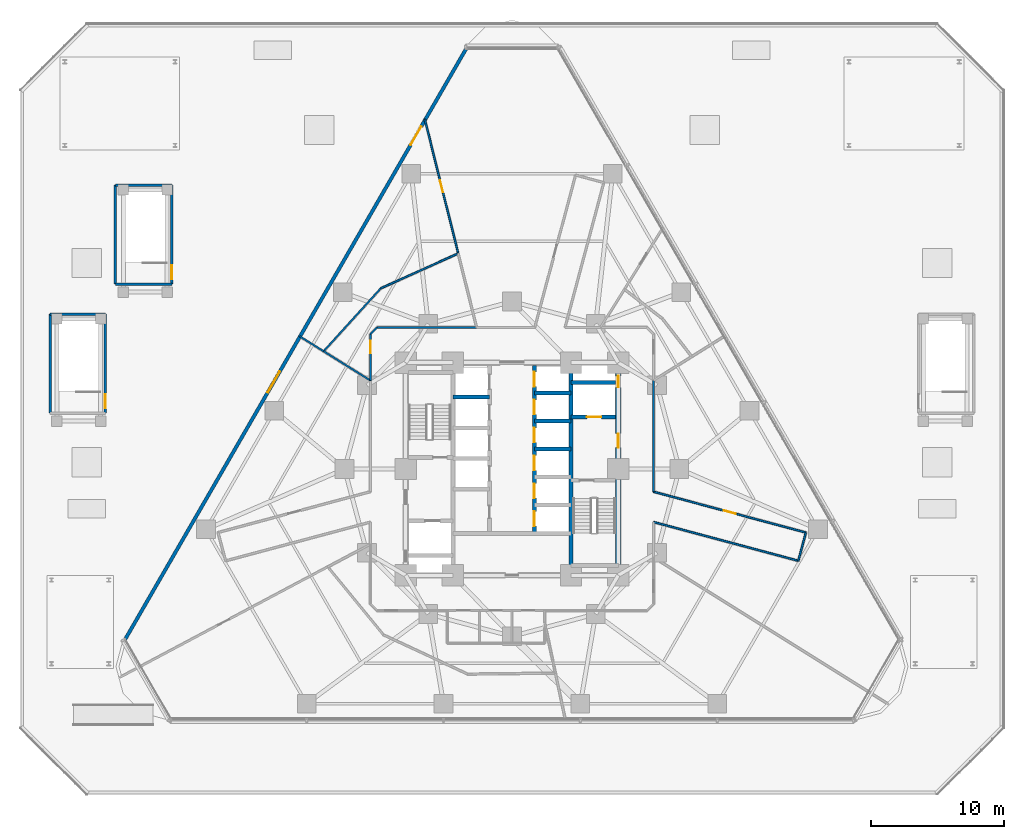
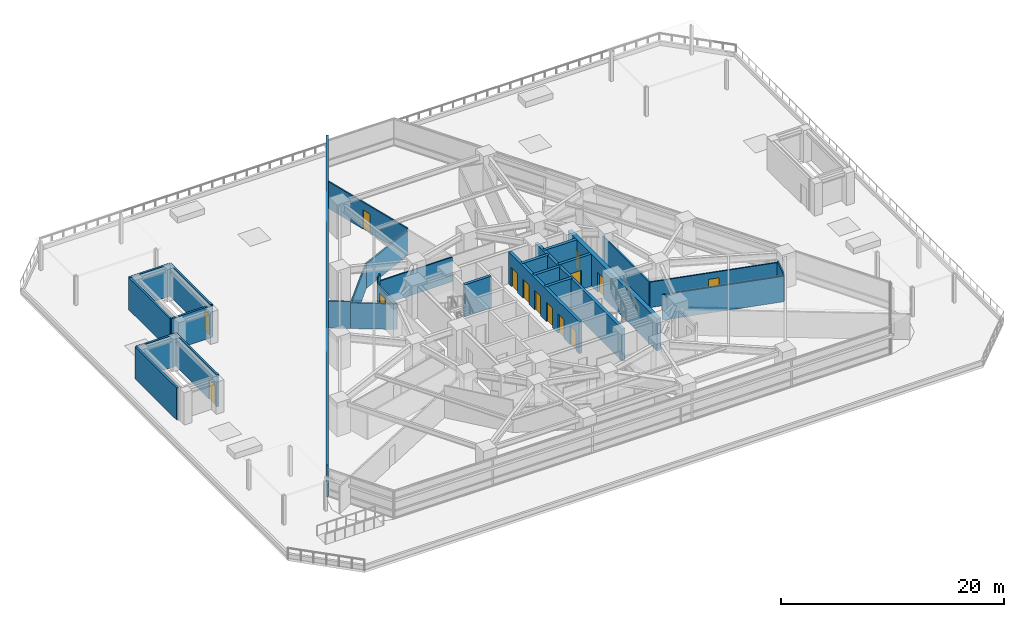
# One storey, part 17 of 23: 29 walls, 15 doors, 1 window, 16 openings.
"""IFC4 building model written with IfcOpenShell, lengths in metres."""

from ifc_helpers import new_model, si_unit, direction, frame, frame_2d, origin, place, context, subcontext, project, spatial, rectangle, extrude, material, layer, layer_set, type_object, element, fill, save


model = new_model("IFC4")

# Units and contexts
model_context = context("Model", 3, precision=1e-05, world=origin(), true_north=direction((0.0, 1.0)))
body_context = subcontext(model_context, "Body", "Model", "MODEL_VIEW")
ifc_project = project(units=[si_unit("LENGTHUNIT", "METRE"), si_unit("AREAUNIT", "SQUARE_METRE"), si_unit("VOLUMEUNIT", "CUBIC_METRE"), si_unit("PLANEANGLEUNIT", "RADIAN"), si_unit("MASSUNIT", "GRAM", prefix="KILO")], contexts=[model_context])

# Site, building, storey
site_placement = place(None, origin())
site = spatial("IfcSite", under=ifc_project, at=site_placement, CompositionType="ELEMENT")
building_placement = place(site_placement, origin())
building = spatial("IfcBuilding", under=site, at=building_placement, Name="Terralouvre Media Tower", CompositionType="ELEMENT")
storey_placement = place(building_placement, frame((0.0, 0.0, 26.0)))
storey = spatial("IfcBuildingStorey", under=building, at=storey_placement, Name="L05", CompositionType="ELEMENT", Elevation=26.0)

# Wall
ifc_material_1 = material(Name="Concrete C50/60", Category="concrete")
ifc_layer_1 = layer(ifc_material_1, 0.300048828125, Name="Core Internal Shaft Wall CW-300")
ifc_layer_set_1 = layer_set([ifc_layer_1], Name="Concrete C50/60")
wall_type_1 = type_object("IfcWallType", Name="Core Internal Shaft Wall CW-300", PredefinedType="SHEAR", material=ifc_layer_set_1)
wall_1_placement = place(storey_placement, frame((4.449951171875, -7.7900390625, 0.0), z_axis=(0.0, 0.0, 1.0), x_axis=(0.0, 1.0, 0.0)))
element("IfcWall", 1, at=wall_1_placement, inside=storey, type_object=wall_type_1, Name="L05 Core Shaft Wall SPE", PredefinedType="SHEAR", context=body_context, shape_type="SweptSolid", body=[
    extrude(rectangle(XDim=15.580078125, YDim=0.300048828125, at=frame_2d((7.7900390625, 0.0))), origin(), (0.0, 0.0, 1.0), 3.5),
])

# Wall, opening, door
wall_2_placement = place(storey_placement, frame((4.449951171875, 3.89990234375, 0.0), z_axis=(0.0, 0.0, 1.0), x_axis=(1.0, 0.0, 0.0)))
wall_2 = element("IfcWall", 2, at=wall_2_placement, inside=storey, type_object=wall_type_1, Name="L05 Core Shaft Wall FF2S", PredefinedType="SHEAR", context=body_context, shape_type="SweptSolid", body=[
    extrude(rectangle(XDim=3.340087890625, YDim=0.300048828125, at=frame_2d((1.669921875, 0.0))), origin(), (0.0, 0.0, 1.0), 3.5),
])
opening_1_placement = place(wall_2_placement, frame((1.179931640625, 0.0, 0.0)))
opening_1 = element("IfcOpeningElement", 3, at=opening_1_placement, cuts=wall_2, Name="Opening LD-FF", PredefinedType="OPENING", context=body_context, shape_type="SweptSolid", body=[
    extrude(rectangle(XDim=1.10009765625, YDim=2.10009765625, at=frame_2d((0.550048828125, 1.050048828125))), frame((0.0, 0.159912109375, 0.0), z_axis=(0.0, -1.0, 0.0), x_axis=(1.0, 0.0, 0.0)), (0.0, 0.0, 1.0), 0.320068359375),
])
ifc_material_2 = material(Name="Stainless steel 316 handrail and balustrade", Category="steel")
door_type_1 = type_object("IfcDoorType", Name="Firefighting Lift Sliding Landing Door LD-FF", OperationType="SLIDING_TO_LEFT", PredefinedType="DOOR", material=ifc_material_2)
door_1_placement = place(opening_1_placement, origin())
door_1 = element("IfcDoor", 4, at=door_1_placement, inside=storey, type_object=door_type_1, Name="L05 Firefighting Lift FFL-02 Landing Door", OperationType="SLIDING_TO_LEFT", OverallHeight=2.10009765625, OverallWidth=1.10009765625, PredefinedType="DOOR", context=body_context, shape_type="SweptSolid", body=[
    extrude(rectangle(XDim=1.10009765625, YDim=2.10009765625, at=frame_2d((0.550048828125, 1.050048828125))), frame((0.0, 0.02490234375, 0.0), z_axis=(0.0, -1.0, 0.0), x_axis=(1.0, 0.0, 0.0)), (0.0, 0.0, 1.0), 0.050048828125),
])
fill(opening_1, door_1)

# Wall
wall_3_placement = place(storey_placement, frame((4.449951171875, 6.5, 0.0), z_axis=(0.0, 0.0, 1.0), x_axis=(1.0, 0.0, 0.0)))
element("IfcWall", 5, at=wall_3_placement, inside=storey, type_object=wall_type_1, Name="L05 Core Shaft Wall FF2N", PredefinedType="SHEAR", context=body_context, shape_type="SweptSolid", body=[
    extrude(rectangle(XDim=3.340087890625, YDim=0.300048828125, at=frame_2d((1.669921875, 0.0))), origin(), (0.0, 0.0, 1.0), 3.5),
])

# Wall, openings, doors
wall_4_placement = place(storey_placement, frame((1.679931640625, -4.85009765625, 0.0), z_axis=(0.0, 0.0, 1.0), x_axis=(0.0, 1.0, 0.0)))
wall_4 = element("IfcWall", 6, at=wall_4_placement, inside=storey, type_object=wall_type_1, Name="L05 Core Shaft Wall LBE", PredefinedType="SHEAR", context=body_context, shape_type="SweptSolid", body=[
    extrude(rectangle(XDim=12.64013671875, YDim=0.300048828125, at=frame_2d((6.320068359375, 0.0))), origin(), (0.0, 0.0, 1.0), 3.5),
])
opening_2_placement = place(wall_4_placement, frame((0.550048828125, 0.0, 0.0)))
opening_2 = element("IfcOpeningElement", 7, at=opening_2_placement, cuts=wall_4, Name="Opening LD-PL", PredefinedType="OPENING", context=body_context, shape_type="SweptSolid", body=[
    extrude(rectangle(XDim=1.10009765625, YDim=2.10009765625, at=frame_2d((0.550048828125, 1.050048828125))), frame((0.0, 0.159912109375, 0.0), z_axis=(0.0, -1.0, 0.0), x_axis=(1.0, 0.0, 0.0)), (0.0, 0.0, 1.0), 0.320068359375),
])
opening_3_placement = place(wall_4_placement, frame((2.64990234375, 0.0, 0.0)))
opening_3 = element("IfcOpeningElement", 8, at=opening_3_placement, cuts=wall_4, Name="Opening LD-PL", PredefinedType="OPENING", context=body_context, shape_type="SweptSolid", body=[
    extrude(rectangle(XDim=1.10009765625, YDim=2.10009765625, at=frame_2d((0.550048828125, 1.050048828125))), frame((0.0, 0.159912109375, 0.0), z_axis=(0.0, -1.0, 0.0), x_axis=(1.0, 0.0, 0.0)), (0.0, 0.0, 1.0), 0.320068359375),
])
opening_4_placement = place(wall_4_placement, frame((4.75, 0.0, 0.0)))
opening_4 = element("IfcOpeningElement", 9, at=opening_4_placement, cuts=wall_4, Name="Opening LD-PL", PredefinedType="OPENING", context=body_context, shape_type="SweptSolid", body=[
    extrude(rectangle(XDim=1.10009765625, YDim=2.10009765625, at=frame_2d((0.550048828125, 1.050048828125))), frame((0.0, 0.159912109375, 0.0), z_axis=(0.0, -1.0, 0.0), x_axis=(1.0, 0.0, 0.0)), (0.0, 0.0, 1.0), 0.320068359375),
])
opening_5_placement = place(wall_4_placement, frame((6.85009765625, 0.0, 0.0)))
opening_5 = element("IfcOpeningElement", 10, at=opening_5_placement, cuts=wall_4, Name="Opening LD-PL", PredefinedType="OPENING", context=body_context, shape_type="SweptSolid", body=[
    extrude(rectangle(XDim=1.10009765625, YDim=2.10009765625, at=frame_2d((0.550048828125, 1.050048828125))), frame((0.0, 0.159912109375, 0.0), z_axis=(0.0, -1.0, 0.0), x_axis=(1.0, 0.0, 0.0)), (0.0, 0.0, 1.0), 0.320068359375),
])
opening_6_placement = place(wall_4_placement, frame((8.949951171875, 0.0, 0.0)))
opening_6 = element("IfcOpeningElement", 11, at=opening_6_placement, cuts=wall_4, Name="Opening LD-PL", PredefinedType="OPENING", context=body_context, shape_type="SweptSolid", body=[
    extrude(rectangle(XDim=1.10009765625, YDim=2.10009765625, at=frame_2d((0.550048828125, 1.050048828125))), frame((0.0, 0.159912109375, 0.0), z_axis=(0.0, -1.0, 0.0), x_axis=(1.0, 0.0, 0.0)), (0.0, 0.0, 1.0), 0.320068359375),
])
opening_7_placement = place(wall_4_placement, frame((11.050048828125, 0.0, 0.0)))
opening_7 = element("IfcOpeningElement", 12, at=opening_7_placement, cuts=wall_4, Name="Opening LD-PL", PredefinedType="OPENING", context=body_context, shape_type="SweptSolid", body=[
    extrude(rectangle(XDim=1.10009765625, YDim=2.10009765625, at=frame_2d((0.550048828125, 1.050048828125))), frame((0.0, 0.159912109375, 0.0), z_axis=(0.0, -1.0, 0.0), x_axis=(1.0, 0.0, 0.0)), (0.0, 0.0, 1.0), 0.320068359375),
])
ifc_material_3 = material(Name="Stainless steel 316 handrail and balustrade", Category="steel")
door_type_2 = type_object("IfcDoorType", Name="Passenger Lift Sliding Landing Door LD-PL", OperationType="SLIDING_TO_LEFT", PredefinedType="DOOR", material=ifc_material_3)
door_2_placement = place(opening_2_placement, origin())
door_2 = element("IfcDoor", 13, at=door_2_placement, inside=storey, type_object=door_type_2, Name="L05 High-Rise Lift PL-H1 Landing Door", OperationType="SLIDING_TO_LEFT", OverallHeight=2.10009765625, OverallWidth=1.10009765625, PredefinedType="DOOR", context=body_context, shape_type="SweptSolid", body=[
    extrude(rectangle(XDim=1.10009765625, YDim=2.10009765625, at=frame_2d((0.550048828125, 1.050048828125))), frame((0.0, 0.02490234375, 0.0), z_axis=(0.0, -1.0, 0.0), x_axis=(1.0, 0.0, 0.0)), (0.0, 0.0, 1.0), 0.050048828125),
])
fill(opening_2, door_2)
door_3_placement = place(opening_3_placement, origin())
door_3 = element("IfcDoor", 14, at=door_3_placement, inside=storey, type_object=door_type_2, Name="L05 High-Rise Lift PL-H2 Landing Door", OperationType="SLIDING_TO_LEFT", OverallHeight=2.10009765625, OverallWidth=1.10009765625, PredefinedType="DOOR", context=body_context, shape_type="SweptSolid", body=[
    extrude(rectangle(XDim=1.10009765625, YDim=2.10009765625, at=frame_2d((0.550048828125, 1.050048828125))), frame((0.0, 0.02490234375, 0.0), z_axis=(0.0, -1.0, 0.0), x_axis=(1.0, 0.0, 0.0)), (0.0, 0.0, 1.0), 0.050048828125),
])
fill(opening_3, door_3)
door_4_placement = place(opening_4_placement, origin())
door_4 = element("IfcDoor", 15, at=door_4_placement, inside=storey, type_object=door_type_2, Name="L05 High-Rise Lift PL-H3 Landing Door", OperationType="SLIDING_TO_LEFT", OverallHeight=2.10009765625, OverallWidth=1.10009765625, PredefinedType="DOOR", context=body_context, shape_type="SweptSolid", body=[
    extrude(rectangle(XDim=1.10009765625, YDim=2.10009765625, at=frame_2d((0.550048828125, 1.050048828125))), frame((0.0, 0.02490234375, 0.0), z_axis=(0.0, -1.0, 0.0), x_axis=(1.0, 0.0, 0.0)), (0.0, 0.0, 1.0), 0.050048828125),
])
fill(opening_4, door_4)
door_5_placement = place(opening_5_placement, origin())
door_5 = element("IfcDoor", 16, at=door_5_placement, inside=storey, type_object=door_type_2, Name="L05 Mid-Rise Lift PL-M1 Landing Door", OperationType="SLIDING_TO_LEFT", OverallHeight=2.10009765625, OverallWidth=1.10009765625, PredefinedType="DOOR", context=body_context, shape_type="SweptSolid", body=[
    extrude(rectangle(XDim=1.10009765625, YDim=2.10009765625, at=frame_2d((0.550048828125, 1.050048828125))), frame((0.0, 0.02490234375, 0.0), z_axis=(0.0, -1.0, 0.0), x_axis=(1.0, 0.0, 0.0)), (0.0, 0.0, 1.0), 0.050048828125),
])
fill(opening_5, door_5)
door_6_placement = place(opening_6_placement, origin())
door_6 = element("IfcDoor", 17, at=door_6_placement, inside=storey, type_object=door_type_2, Name="L05 Mid-Rise Lift PL-M2 Landing Door", OperationType="SLIDING_TO_LEFT", OverallHeight=2.10009765625, OverallWidth=1.10009765625, PredefinedType="DOOR", context=body_context, shape_type="SweptSolid", body=[
    extrude(rectangle(XDim=1.10009765625, YDim=2.10009765625, at=frame_2d((0.550048828125, 1.050048828125))), frame((0.0, 0.02490234375, 0.0), z_axis=(0.0, -1.0, 0.0), x_axis=(1.0, 0.0, 0.0)), (0.0, 0.0, 1.0), 0.050048828125),
])
fill(opening_6, door_6)
door_7_placement = place(opening_7_placement, origin())
door_7 = element("IfcDoor", 18, at=door_7_placement, inside=storey, type_object=door_type_2, Name="L05 Mid-Rise Lift PL-M3 Landing Door", OperationType="SLIDING_TO_LEFT", OverallHeight=2.10009765625, OverallWidth=1.10009765625, PredefinedType="DOOR", context=body_context, shape_type="SweptSolid", body=[
    extrude(rectangle(XDim=1.10009765625, YDim=2.10009765625, at=frame_2d((0.550048828125, 1.050048828125))), frame((0.0, 0.02490234375, 0.0), z_axis=(0.0, -1.0, 0.0), x_axis=(1.0, 0.0, 0.0)), (0.0, 0.0, 1.0), 0.050048828125),
])
fill(opening_7, door_7)

# Walls
for number, where, z_axis, x_axis, name in (
    (19, (-4.449951171875, 5.39990234375, 0.0), (0.0, 0.0, 1.0), (1.0, 0.0, 0.0), "L05 Core Shaft Wall PLLD3"),
    (20, (1.679931640625, 1.5, 0.0), (0.0, 0.0, 1.0), (1.0, 0.0, 0.0), "L05 Core Shaft Wall PLMD0"),
    (21, (1.679931640625, 3.60009765625, 0.0), (0.0, 0.0, 1.0), (1.0, 0.0, 0.0), "L05 Core Shaft Wall PLMD1"),
    (22, (1.679931640625, 5.699951171875, 0.0), (0.0, 0.0, 1.0), (1.0, 0.0, 0.0), "L05 Core Shaft Wall PLMD2"),
):
    element("IfcWall", number, at=place(storey_placement, frame(where, z_axis=z_axis, x_axis=x_axis)), inside=storey, type_object=wall_type_1, Name=name, PredefinedType="SHEAR", context=body_context, shape_type="SweptSolid", body=[
        extrude(rectangle(XDim=2.77001953125, YDim=0.300048828125, at=frame_2d((1.385009765625, 0.0))), origin(), (0.0, 0.0, 1.0), 3.5),
    ])

# Wall, openings, doors
ifc_material_4 = material(Name="Concrete C60/75", Category="concrete")
ifc_layer_2 = layer(ifc_material_4, 0.419921875, Name="Core Reinforced Concrete Shear Wall CW-420")
ifc_layer_set_2 = layer_set([ifc_layer_2], Name="Concrete C60/75")
wall_type_2 = type_object("IfcWallType", Name="Core Reinforced Concrete Shear Wall CW-420", PredefinedType="SHEAR", material=ifc_layer_set_2)
wall_5_placement = place(storey_placement, frame((8.0, -8.0, 0.0), z_axis=(0.0, 0.0, 1.0), x_axis=(0.0, 1.0, 0.0)))
wall_5 = element("IfcWall", 23, at=wall_5_placement, inside=storey, type_object=wall_type_2, Name="L05 E Core Shear Wall", PredefinedType="SHEAR", context=body_context, shape_type="SweptSolid", body=[
    extrude(rectangle(XDim=16.0, YDim=0.419921875, at=frame_2d((8.0, 0.0))), origin(), (0.0, 0.0, 1.0), 3.5),
])
opening_8_placement = place(wall_5_placement, frame((9.60009765625, 0.0, 0.0)))
opening_8 = element("IfcOpeningElement", 24, at=opening_8_placement, cuts=wall_5, Name="Opening FD-01-105X215", PredefinedType="OPENING", context=body_context, shape_type="SweptSolid", body=[
    extrude(rectangle(XDim=1.050048828125, YDim=2.14990234375, at=frame_2d((0.52490234375, 1.074951171875))), frame((0.0, 0.219970703125, 0.0), z_axis=(0.0, -1.0, 0.0), x_axis=(1.0, 0.0, 0.0)), (0.0, 0.0, 1.0), 0.43994140625),
])
opening_9_placement = place(wall_5_placement, frame((14.148193359375, 0.0, 0.0)))
opening_9 = element("IfcOpeningElement", 25, at=opening_9_placement, cuts=wall_5, Name="Opening TD-R1", PredefinedType="OPENING", context=body_context, shape_type="SweptSolid", body=[
    extrude(rectangle(XDim=0.85009765625, YDim=2.02001953125, at=frame_2d((0.425048828125, 1.010009765625))), frame((0.0, 0.219970703125, 0.0), z_axis=(0.0, -1.0, 0.0), x_axis=(1.0, 0.0, 0.0)), (0.0, 0.0, 1.0), 0.43994140625),
])
ifc_material_5 = material(Name="Galvanised steel fire-resisting leaf", Category="steel")
door_type_3 = type_object("IfcDoorType", Name="Riser Inspection Access Trapdoor TD-R1", OperationType="NOTDEFINED", PredefinedType="TRAPDOOR", material=ifc_material_5)
door_8_placement = place(opening_9_placement, origin())
door_8 = element("IfcDoor", 26, at=door_8_placement, inside=storey, type_object=door_type_3, Name="L05 East Comms Riser Access Trapdoor", OperationType="SINGLE_SWING_RIGHT", OverallHeight=2.02001953125, OverallWidth=0.85009765625, PredefinedType="TRAPDOOR", context=body_context, shape_type="SweptSolid", body=[
    extrude(rectangle(XDim=0.85009765625, YDim=2.02001953125, at=frame_2d((0.425048828125, 1.010009765625))), frame((0.0, 0.02490234375, 0.0), z_axis=(0.0, -1.0, 0.0), x_axis=(1.0, 0.0, 0.0)), (0.0, 0.0, 1.0), 0.050048828125),
])
fill(opening_9, door_8)
ifc_material_6 = material(Name="Galvanised steel fire-resisting leaf", Category="steel")
door_type_4 = type_object("IfcDoorType", Name="Stair and Firefighting Lobby Fire Door FD-01 (1050x2150)", OperationType="NOTDEFINED", PredefinedType="DOOR", material=ifc_material_6)
door_9_placement = place(opening_8_placement, origin())
door_9 = element("IfcDoor", 27, at=door_9_placement, inside=storey, type_object=door_type_4, Name="L05 East Firefighting Lobby Entry Door", OperationType="SINGLE_SWING_LEFT", OverallHeight=2.14990234375, OverallWidth=1.050048828125, PredefinedType="DOOR", context=body_context, shape_type="SweptSolid", body=[
    extrude(rectangle(XDim=1.050048828125, YDim=2.14990234375, at=frame_2d((0.52490234375, 1.074951171875))), frame((0.0, 0.02490234375, 0.0), z_axis=(0.0, -1.0, 0.0), x_axis=(1.0, 0.0, 0.0)), (0.0, 0.0, 1.0), 0.050048828125),
])
fill(opening_8, door_9)

# Wall, opening, door
ifc_material_7 = material(Name="Fire-rated gypsum board drywall partition")
ifc_layer_3 = layer(ifc_material_7, 0.199951171875, Name="Fire-Rated Shaft and Lobby Partition FW-200")
ifc_layer_set_3 = layer_set([ifc_layer_3], Name="Fire-rated gypsum board drywall partition")
wall_type_3 = type_object("IfcWallType", Name="Fire-Rated Shaft and Lobby Partition FW-200", PredefinedType="SOLIDWALL", material=ifc_layer_set_3)
wall_6_placement = place(storey_placement, frame((-30.60009765625, 4.199951171875, 0.0), z_axis=(0.0, 0.0, 1.0), x_axis=(0.0, 1.0, 0.0)))
wall_6 = element("IfcWall", 28, at=wall_6_placement, inside=storey, type_object=wall_type_3, Name="L05 ST03 Stair Shaft Wall E", PredefinedType="SOLIDWALL", context=body_context, shape_type="SweptSolid", body=[
    extrude(rectangle(XDim=7.449951171875, YDim=0.199951171875, at=frame_2d((3.72509765625, 0.0))), origin(), (0.0, 0.0, 1.0), 3.5),
])
opening_10_placement = place(wall_6_placement, frame((0.360107421875, 0.0, 0.0)))
opening_10 = element("IfcOpeningElement", 29, at=opening_10_placement, cuts=wall_6, Name="Opening FD-01-105X215", PredefinedType="OPENING", context=body_context, shape_type="SweptSolid", body=[
    extrude(rectangle(XDim=1.050048828125, YDim=2.14990234375, at=frame_2d((0.52490234375, 1.074951171875))), frame((0.0, 0.10986328125, 0.0), z_axis=(0.0, -1.0, 0.0), x_axis=(1.0, 0.0, 0.0)), (0.0, 0.0, 1.0), 0.219970703125),
])
door_10_placement = place(opening_10_placement, origin())
door_10 = element("IfcDoor", 30, at=door_10_placement, inside=storey, type_object=door_type_4, Name="L05 ST03 Pressurised Stair Door", OperationType="SINGLE_SWING_RIGHT", OverallHeight=2.14990234375, OverallWidth=1.050048828125, PredefinedType="DOOR", context=body_context, shape_type="SweptSolid", body=[
    extrude(rectangle(XDim=1.050048828125, YDim=2.14990234375, at=frame_2d((0.52490234375, 1.074951171875))), frame((0.0, 0.02490234375, 0.0), z_axis=(0.0, -1.0, 0.0), x_axis=(1.0, 0.0, 0.0)), (0.0, 0.0, 1.0), 0.050048828125),
])
fill(opening_10, door_10)

# Walls
wall_7_placement = place(storey_placement, frame((-30.60009765625, 11.64990234375, 0.0), z_axis=(0.0, 0.0, 1.0), x_axis=(-1.0, 0.0, 0.0)))
element("IfcWall", 31, at=wall_7_placement, inside=storey, type_object=wall_type_3, Name="L05 ST03 Stair Shaft Wall N", PredefinedType="SOLIDWALL", context=body_context, shape_type="SweptSolid", body=[
    extrude(rectangle(XDim=4.14990234375, YDim=0.199951171875, at=frame_2d((2.074951171875, 0.0))), origin(), (0.0, 0.0, 1.0), 3.5),
])
wall_8_placement = place(storey_placement, frame((-34.75, 11.64990234375, 0.0), z_axis=(0.0, 0.0, 1.0), x_axis=(0.0, -1.0, 0.0)))
element("IfcWall", 32, at=wall_8_placement, inside=storey, type_object=wall_type_3, Name="L05 ST03 Stair Shaft Wall W", PredefinedType="SOLIDWALL", context=body_context, shape_type="SweptSolid", body=[
    extrude(rectangle(XDim=7.449951171875, YDim=0.199951171875, at=frame_2d((3.72509765625, 0.0))), origin(), (0.0, 0.0, 1.0), 3.5),
])
wall_9_placement = place(storey_placement, frame((-29.85009765625, 13.89990234375, 0.0), z_axis=(0.0, 0.0, 1.0), x_axis=(1.0, 0.0, 0.0)))
element("IfcWall", 33, at=wall_9_placement, inside=storey, type_object=wall_type_3, Name="L05 ST06 Stair Shaft Wall S", PredefinedType="SOLIDWALL", context=body_context, shape_type="SweptSolid", body=[
    extrude(rectangle(XDim=4.25, YDim=0.199951171875, at=frame_2d((2.125, 0.0))), origin(), (0.0, 0.0, 1.0), 3.5),
])

# Wall, opening, door
wall_10_placement = place(storey_placement, frame((-25.60009765625, 13.89990234375, 0.0), z_axis=(0.0, 0.0, 1.0), x_axis=(0.0, 1.0, 0.0)))
wall_10 = element("IfcWall", 34, at=wall_10_placement, inside=storey, type_object=wall_type_3, Name="L05 ST06 Stair Shaft Wall E", PredefinedType="SOLIDWALL", context=body_context, shape_type="SweptSolid", body=[
    extrude(rectangle(XDim=7.4501953125, YDim=0.199951171875, at=frame_2d((3.72509765625, 0.0))), origin(), (0.0, 0.0, 1.0), 3.5),
])
opening_11_placement = place(wall_10_placement, frame((0.360107421875, 0.0, 0.0)))
opening_11 = element("IfcOpeningElement", 35, at=opening_11_placement, cuts=wall_10, Name="Opening FD-01-105X215", PredefinedType="OPENING", context=body_context, shape_type="SweptSolid", body=[
    extrude(rectangle(XDim=1.050048828125, YDim=2.14990234375, at=frame_2d((0.52490234375, 1.074951171875))), frame((0.0, 0.10986328125, 0.0), z_axis=(0.0, -1.0, 0.0), x_axis=(1.0, 0.0, 0.0)), (0.0, 0.0, 1.0), 0.219970703125),
])
door_11_placement = place(opening_11_placement, origin())
door_11 = element("IfcDoor", 36, at=door_11_placement, inside=storey, type_object=door_type_4, Name="L05 ST06 Pressurised Stair Door", OperationType="SINGLE_SWING_RIGHT", OverallHeight=2.14990234375, OverallWidth=1.050048828125, PredefinedType="DOOR", context=body_context, shape_type="SweptSolid", body=[
    extrude(rectangle(XDim=1.050048828125, YDim=2.14990234375, at=frame_2d((0.52490234375, 1.074951171875))), frame((0.0, 0.02490234375, 0.0), z_axis=(0.0, -1.0, 0.0), x_axis=(1.0, 0.0, 0.0)), (0.0, 0.0, 1.0), 0.050048828125),
])
fill(opening_11, door_11)

# Walls
wall_11_placement = place(storey_placement, frame((-25.60009765625, 21.35009765625, 0.0), z_axis=(0.0, 0.0, 1.0), x_axis=(-1.0, 0.0, 0.0)))
element("IfcWall", 37, at=wall_11_placement, inside=storey, type_object=wall_type_3, Name="L05 ST06 Stair Shaft Wall N", PredefinedType="SOLIDWALL", context=body_context, shape_type="SweptSolid", body=[
    extrude(rectangle(XDim=4.25, YDim=0.199951171875, at=frame_2d((2.125, 0.0))), origin(), (0.0, 0.0, 1.0), 3.5),
])
wall_12_placement = place(storey_placement, frame((-29.85009765625, 21.35009765625, 0.0), z_axis=(0.0, 0.0, 1.0), x_axis=(0.0, -1.0, 0.0)))
element("IfcWall", 38, at=wall_12_placement, inside=storey, type_object=wall_type_3, Name="L05 ST06 Stair Shaft Wall W", PredefinedType="SOLIDWALL", context=body_context, shape_type="SweptSolid", body=[
    extrude(rectangle(XDim=7.4501953125, YDim=0.199951171875, at=frame_2d((3.72509765625, 0.0))), origin(), (0.0, 0.0, 1.0), 3.5),
])
ifc_material_8 = material(Name="Fire-rated gypsum board drywall partition")
ifc_layer_4 = layer(ifc_material_8, 0.135009765625, Name="Newsroom Acoustic Partition PT-135")
ifc_layer_set_4 = layer_set([ifc_layer_4], Name="Fire-rated gypsum board drywall partition")
wall_type_4 = type_object("IfcWallType", Name="Newsroom Acoustic Partition PT-135", PredefinedType="PARTITIONING", material=ifc_layer_set_4)
wall_13_placement = place(storey_placement, frame((10.64990234375, -3.991943359375, 0.0), z_axis=(0.0, 0.0, 1.0), x_axis=(0.965906888357, -0.258889712088, 0.0)))
element("IfcWall", 39, at=wall_13_placement, inside=storey, type_object=wall_type_4, Name="L05 Interior Partition 002", PredefinedType="PARTITIONING", context=body_context, shape_type="SweptSolid", body=[
    extrude(rectangle(XDim=11.279541015625, YDim=0.135009765625, at=frame_2d((5.6396484375, 0.0))), origin(), (0.0, 0.0, 1.0), 2.784912109375),
])
wall_14_placement = place(storey_placement, frame((21.544921875, -6.912109375, 0.0), z_axis=(0.0, 0.0, 1.0), x_axis=(0.259105843213, 0.965848933329, 0.0)))
element("IfcWall", 40, at=wall_14_placement, inside=storey, type_object=wall_type_4, Name="L05 Interior Partition 003", PredefinedType="PARTITIONING", context=body_context, shape_type="SweptSolid", body=[
    extrude(rectangle(XDim=2.2001953125, YDim=0.135009765625, at=frame_2d((1.10009765625, 0.0))), origin(), (0.0, 0.0, 1.0), 2.93505859375),
])

# Wall, opening, door
wall_15_placement = place(storey_placement, frame((22.114990234375, -4.787109375, 0.0), z_axis=(0.0, 0.0, 1.0), x_axis=(-0.965926659449, 0.258815935688, 0.0)))
wall_15 = element("IfcWall", 41, at=wall_15_placement, inside=storey, type_object=wall_type_4, Name="L05 Interior Partition 004", PredefinedType="PARTITIONING", context=body_context, shape_type="SweptSolid", body=[
    extrude(rectangle(XDim=11.86962890625, YDim=0.135009765625, at=frame_2d((5.934814453125, 0.0))), origin(), (0.0, 0.0, 1.0), 2.784912109375),
])
opening_12_placement = place(wall_15_placement, frame((5.459716796875, 0.0, 0.0)))
opening_12 = element("IfcOpeningElement", 42, at=opening_12_placement, cuts=wall_15, Name="Opening ID-02-95X210", PredefinedType="OPENING", context=body_context, shape_type="SweptSolid", body=[
    extrude(rectangle(XDim=0.949951171875, YDim=2.10009765625, at=frame_2d((0.47509765625, 1.050048828125))), frame((0.0, 0.077392578125, 0.0), z_axis=(0.0, -1.0, 0.0), x_axis=(1.0, 0.0, 0.0)), (0.0, 0.0, 1.0), 0.155029296875),
])
ifc_material_9 = material(Name="Engineered hardwood acoustic timber leaf", Category="wood")
door_type_5 = type_object("IfcDoorType", Name="Office and Meeting Room Door ID-02 (950x2100)", OperationType="NOTDEFINED", PredefinedType="DOOR", material=ifc_material_9)
door_12_placement = place(opening_12_placement, origin())
door_12 = element("IfcDoor", 43, at=door_12_placement, inside=storey, type_object=door_type_5, Name="L05 Live Wire Newsroom Open Office 1 Door", OperationType="SINGLE_SWING_RIGHT", OverallHeight=2.10009765625, OverallWidth=0.949951171875, PredefinedType="DOOR", context=body_context, shape_type="SweptSolid", body=[
    extrude(rectangle(XDim=0.949951171875, YDim=2.10009765625, at=frame_2d((0.47509765625, 1.050048828125))), frame((0.0, 0.02490234375, 0.0), z_axis=(0.0, -1.0, 0.0), x_axis=(1.0, 0.0, 0.0)), (0.0, 0.0, 1.0), 0.050048828125),
])
fill(opening_12, door_12)

# Walls
wall_16_placement = place(storey_placement, frame((10.64990234375, -1.715087890625, 0.0), z_axis=(0.0, 0.0, 1.0), x_axis=(0.0, 1.0, 0.0)))
element("IfcWall", 44, at=wall_16_placement, inside=storey, type_object=wall_type_4, Name="L05 Interior Partition 005", PredefinedType="PARTITIONING", context=body_context, shape_type="SweptSolid", body=[
    extrude(rectangle(XDim=8.3701171875, YDim=0.135009765625, at=frame_2d((4.18505859375, 0.0))), origin(), (0.0, 0.0, 1.0), 2.784912109375),
])
wall_17_placement = place(storey_placement, frame((-2.655029296875, 10.64990234375, 0.0), z_axis=(0.0, 0.0, 1.0), x_axis=(-1.0, 0.0, 0.0)))
element("IfcWall", 45, at=wall_17_placement, inside=storey, type_object=wall_type_4, Name="L05 Interior Partition 028", PredefinedType="PARTITIONING", context=body_context, shape_type="SweptSolid", body=[
    extrude(rectangle(XDim=7.494873046875, YDim=0.135009765625, at=frame_2d((3.74755859375, 0.0))), origin(), (0.0, 0.0, 1.0), 2.68505859375),
])
wall_18_placement = place(storey_placement, frame((-10.14990234375, 10.64990234375, 0.0), z_axis=(0.0, 0.0, 1.0), x_axis=(-0.707106781187, -0.707106781187, 0.0)))
element("IfcWall", 46, at=wall_18_placement, inside=storey, type_object=wall_type_4, Name="L05 Interior Partition 029", PredefinedType="PARTITIONING", context=body_context, shape_type="SweptSolid", body=[
    extrude(rectangle(XDim=0.70703125, YDim=0.135009765625, at=frame_2d((0.353515625, 0.0))), origin(), (0.0, 0.0, 1.0), 3.5),
])

# Wall, opening, door
wall_19_placement = place(storey_placement, frame((-10.64990234375, 10.14990234375, 0.0), z_axis=(0.0, 0.0, 1.0), x_axis=(0.0, -1.0, 0.0)))
wall_19 = element("IfcWall", 47, at=wall_19_placement, inside=storey, type_object=wall_type_4, Name="L05 Interior Partition 030", PredefinedType="PARTITIONING", context=body_context, shape_type="SweptSolid", body=[
    extrude(rectangle(XDim=3.494873046875, YDim=0.135009765625, at=frame_2d((1.74755859375, 0.0))), origin(), (0.0, 0.0, 1.0), 2.784912109375),
])
opening_13_placement = place(wall_19_placement, frame((0.503662109375, 0.0, 0.0)))
opening_13 = element("IfcOpeningElement", 48, at=opening_13_placement, cuts=wall_19, Name="Opening ID-02-95X210", PredefinedType="OPENING", context=body_context, shape_type="SweptSolid", body=[
    extrude(rectangle(XDim=0.949951171875, YDim=2.10009765625, at=frame_2d((0.47509765625, 1.050048828125))), frame((0.0, 0.077392578125, 0.0), z_axis=(0.0, -1.0, 0.0), x_axis=(1.0, 0.0, 0.0)), (0.0, 0.0, 1.0), 0.155029296875),
])
door_13_placement = place(opening_13_placement, origin())
door_13 = element("IfcDoor", 49, at=door_13_placement, inside=storey, type_object=door_type_5, Name="L05 Anchor Green Lounge 10 Door", OperationType="SINGLE_SWING_LEFT", OverallHeight=2.10009765625, OverallWidth=0.949951171875, PredefinedType="DOOR", context=body_context, shape_type="SweptSolid", body=[
    extrude(rectangle(XDim=0.949951171875, YDim=2.10009765625, at=frame_2d((0.47509765625, 1.050048828125))), frame((0.0, 0.02490234375, 0.0), z_axis=(0.0, -1.0, 0.0), x_axis=(1.0, 0.0, 0.0)), (0.0, 0.0, 1.0), 0.050048828125),
])
fill(opening_13, door_13)

wall_20_placement = place(storey_placement, frame((-6.56005859375, 26.311279296875, 0.0), z_axis=(0.0, 0.0, 1.0), x_axis=(0.241883926999, -0.970305192122, 0.0)))
wall_20 = element("IfcWall", 50, at=wall_20_placement, inside=storey, type_object=wall_type_4, Name="L05 Interior Partition 036", PredefinedType="PARTITIONING", context=body_context, shape_type="SweptSolid", body=[
    extrude(rectangle(XDim=10.402099609375, YDim=0.135009765625, at=frame_2d((5.201171875, 0.0))), origin(), (0.0, 0.0, 1.0), 2.93505859375),
])
opening_14_placement = place(wall_20_placement, frame((4.740966796875, 0.0, 0.0)))
opening_14 = element("IfcOpeningElement", 51, at=opening_14_placement, cuts=wall_20, Name="Opening ID-03-92X210", PredefinedType="OPENING", context=body_context, shape_type="SweptSolid", body=[
    extrude(rectangle(XDim=0.919921875, YDim=2.10009765625, at=frame_2d((0.4599609375, 1.050048828125))), frame((0.0, 0.077392578125, 0.0), z_axis=(0.0, -1.0, 0.0), x_axis=(1.0, 0.0, 0.0)), (0.0, 0.0, 1.0), 0.155029296875),
])
ifc_material_10 = material(Name="Engineered hardwood acoustic timber leaf", Category="wood")
door_type_6 = type_object("IfcDoorType", Name="Accessible Restroom and Suite Door ID-03 (920x2100)", OperationType="NOTDEFINED", PredefinedType="DOOR", material=ifc_material_10)
door_14_placement = place(opening_14_placement, origin())
door_14 = element("IfcDoor", 52, at=door_14_placement, inside=storey, type_object=door_type_6, Name="L05 Press Tape Archive Storage 9 Door", OperationType="SINGLE_SWING_RIGHT", OverallHeight=2.10009765625, OverallWidth=0.919921875, PredefinedType="DOOR", context=body_context, shape_type="SweptSolid", body=[
    extrude(rectangle(XDim=0.919921875, YDim=2.10009765625, at=frame_2d((0.4599609375, 1.050048828125))), frame((0.0, 0.02490234375, 0.0), z_axis=(0.0, -1.0, 0.0), x_axis=(1.0, 0.0, 0.0)), (0.0, 0.0, 1.0), 0.050048828125),
])
fill(opening_14, door_14)

# Walls
wall_21_placement = place(storey_placement, frame((-14.175048828125, 8.85693359375, 0.0), z_axis=(0.0, 0.0, 1.0), x_axis=(-0.847856855063, 0.530225191142, 0.0)))
element("IfcWall", 53, at=wall_21_placement, inside=storey, type_object=wall_type_4, Name="L05 Interior Partition 040", PredefinedType="PARTITIONING", context=body_context, shape_type="SweptSolid", body=[
    extrude(rectangle(XDim=2.1337890625, YDim=0.135009765625, at=frame_2d((1.06689453125, 0.0))), origin(), (0.0, 0.0, 1.0), 2.93505859375),
])
wall_22_placement = place(storey_placement, frame((-10.64990234375, 6.655029296875, 0.0), z_axis=(0.0, 0.0, 1.0), x_axis=(-0.848140172493, 0.529771882798, 0.0)))
element("IfcWall", 54, at=wall_22_placement, inside=storey, type_object=wall_type_4, Name="L05 Interior Partition 041", PredefinedType="PARTITIONING", context=body_context, shape_type="SweptSolid", body=[
    extrude(rectangle(XDim=4.15625, YDim=0.135009765625, at=frame_2d((2.078125, 0.0))), origin(), (0.0, 0.0, 1.0), 2.784912109375),
])
for number, where, z_axis, x_axis, name in (
    (55, (-14.175048828125, 8.85693359375, 0.0), (0.0, 0.0, 1.0), (0.672355423095, 0.740228468133, 0.0), "L05 Interior Partition 057"),
    (56, (-9.875, 13.591064453125, 0.0), (0.0, 0.0, 1.0), (0.911747140101, 0.4107519355, 0.0), "L05 Interior Partition 058"),
):
    element("IfcWall", number, at=place(storey_placement, frame(where, z_axis=z_axis, x_axis=x_axis)), inside=storey, type_object=wall_type_4, Name=name, PredefinedType="PARTITIONING", context=body_context, shape_type="SweptSolid", body=[
        extrude(rectangle(XDim=6.3955078125, YDim=0.135009765625, at=frame_2d((3.19775390625, 0.0))), origin(), (0.0, 0.0, 1.0), 2.68505859375),
    ])

# Wall, openings, window, door
ifc_material_11 = material(Name="Kiln-fired architectural terracotta rainscreen cladding", Category="masonry")
ifc_layer_5 = layer(ifc_material_11, 0.260009765625, Name="Recessed Sky-Garden Acoustic Wall EW-SG260")
ifc_layer_set_5 = layer_set([ifc_layer_5], Name="Kiln-fired architectural terracotta rainscreen cladding")
wall_type_5 = type_object("IfcWallType", Name="Recessed Sky-Garden Acoustic Wall EW-SG260", PredefinedType="SOLIDWALL", material=ifc_layer_set_5)
wall_23_placement = place(storey_placement, frame((-3.403564453125, 31.698486328125, 0.0), z_axis=(0.0, 0.0, 1.0), x_axis=(-0.499999718315, -0.866025566415, 0.0)))
wall_23 = element("IfcWall", 57, at=wall_23_placement, inside=storey, type_object=wall_type_5, Name="L05 Tower Garden Access Wall", PredefinedType="SOLIDWALL", context=body_context, shape_type="SweptSolid", body=[
    extrude(rectangle(XDim=51.5, YDim=0.260009765625, at=frame_2d((25.75, 0.0))), origin(), (0.0, 0.0, 1.0), 3.5),
])
opening_15_placement = place(wall_23_placement, frame((6.85009765625, 0.0, 0.0)))
opening_15 = element("IfcOpeningElement", 58, at=opening_15_placement, cuts=wall_23, Name="Opening TD-01-160X210", PredefinedType="OPENING", context=body_context, shape_type="SweptSolid", body=[
    extrude(rectangle(XDim=1.60009765625, YDim=2.10009765625, at=frame_2d((0.800048828125, 1.050048828125))), frame((0.0, 0.139892578125, 0.0), z_axis=(0.0, -1.0, 0.0), x_axis=(1.0, 0.0, 0.0)), (0.0, 0.0, 1.0), 0.280029296875),
])
opening_16_placement = place(wall_23_placement, frame((28.14990234375, 0.0, 0.85009765625)))
opening_16 = element("IfcOpeningElement", 59, at=opening_16_placement, cuts=wall_23, Name="Opening W-03A", PredefinedType="OPENING", context=body_context, shape_type="SweptSolid", body=[
    extrude(rectangle(XDim=1.800048828125, YDim=1.25, at=frame_2d((0.89990234375, 0.625))), frame((0.0, 0.139892578125, 0.0), z_axis=(0.0, -1.0, 0.0), x_axis=(1.0, 0.0, 0.0)), (0.0, 0.0, 1.0), 0.280029296875),
])
ifc_material_12 = material(Name="Low-iron laminated double glazing with solar-control coating", Category="glass")
window_type = type_object("IfcWindowType", Name="Raised-Garden Loggia Wide Window W-03A", PartitioningType="SINGLE_PANEL", PredefinedType="WINDOW", material=ifc_material_12)
window_placement = place(opening_16_placement, origin())
window = element("IfcWindow", 60, at=window_placement, inside=storey, type_object=window_type, Name="L05 Garden View Window", OverallHeight=1.25, OverallWidth=1.800048828125, PartitioningType="SINGLE_PANEL", PredefinedType="WINDOW", context=body_context, shape_type="SweptSolid", body=[
    extrude(rectangle(XDim=1.800048828125, YDim=1.25, at=frame_2d((0.89990234375, 0.625))), frame((0.0, 0.030029296875, 0.0), z_axis=(0.0, -1.0, 0.0), x_axis=(1.0, 0.0, 0.0)), (0.0, 0.0, 1.0), 0.06005859375),
])
fill(opening_16, window)
ifc_material_13 = material(Name="Anodised extruded aluminium 6063-T6", Category="aluminium")
door_type_7 = type_object("IfcDoorType", Name="Sky-Garden Terrace Double Door TD-01 (1600x2100)", OperationType="DOUBLE_DOOR_SLIDING", PredefinedType="DOOR", material=ifc_material_13)
door_15_placement = place(opening_15_placement, frame((1.60009765625, 0.0, 0.0), z_axis=(0.0, 0.0, 1.0), x_axis=(-1.0, 0.0, 0.0)))
door_15 = element("IfcDoor", 61, at=door_15_placement, inside=storey, type_object=door_type_7, Name="L05 Raised Garden West Terrace Door", OperationType="DOUBLE_DOOR_SLIDING", OverallHeight=2.10009765625, OverallWidth=1.60009765625, PredefinedType="DOOR", context=body_context, shape_type="SweptSolid", body=[
    extrude(rectangle(XDim=1.60009765625, YDim=2.10009765625, at=frame_2d((0.800048828125, 1.050048828125))), frame((0.0, 0.02490234375, 0.0), z_axis=(0.0, -1.0, 0.0), x_axis=(1.0, 0.0, 0.0)), (0.0, 0.0, 1.0), 0.050048828125),
])
fill(opening_15, door_15)

save(model, "model.ifc")
